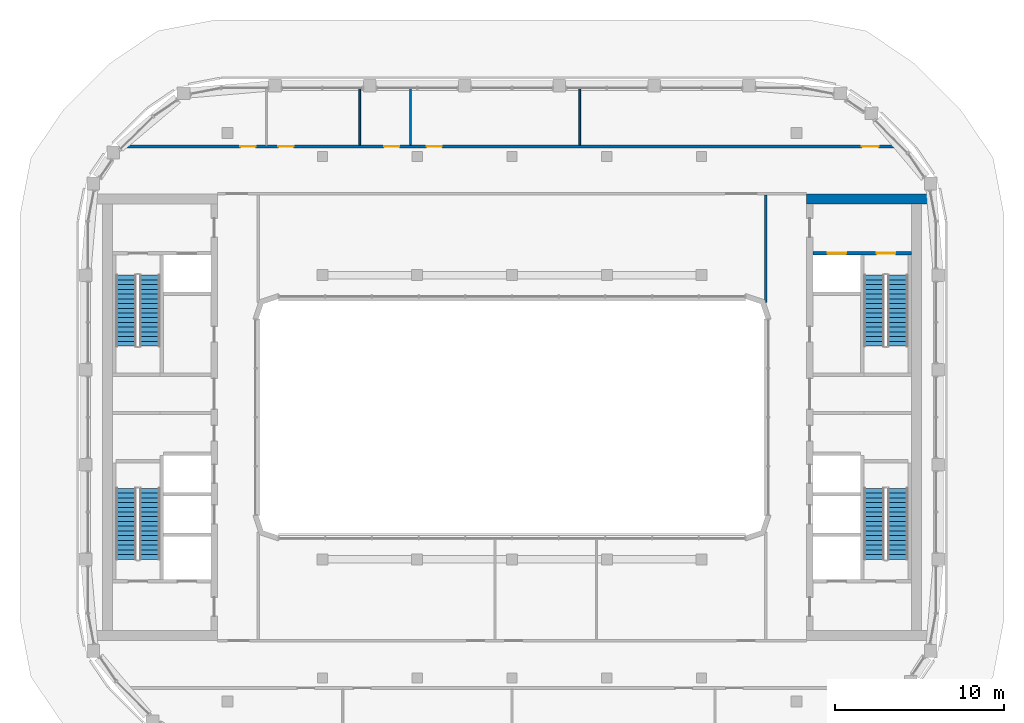
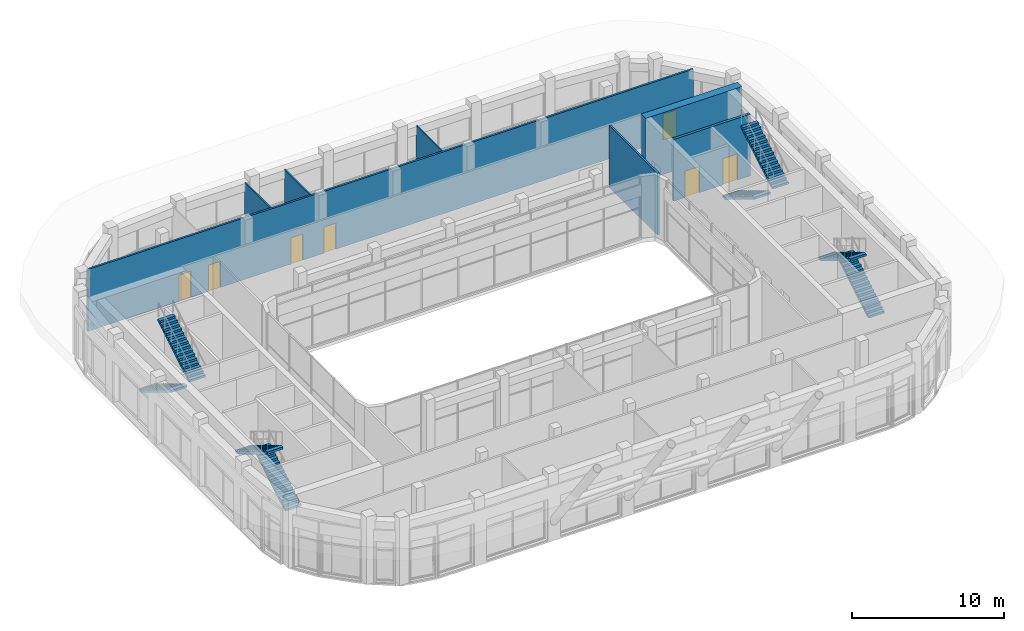
# One storey, part 18 of 24: 8 stair flights, 7 doors, 7 walls, 7 openings, 4 elements without a shape of their own.
"""IFC4 building model written with IfcOpenShell, lengths in metres."""

from ifc_helpers import new_model, si_unit, direction, frame, frame_2d, origin, place, context, subcontext, project, spatial, polyline, rectangle, outline, extrude, material, layer, layer_set, type_object, element, fill, aggregate, save


model = new_model("IFC4")

# Units and contexts
model_context = context("Model", 3, precision=1e-05, world=origin(), true_north=direction((0.0, 1.0)))
body_context = subcontext(model_context, "Body", "Model", "MODEL_VIEW")
ifc_project = project(units=[si_unit("LENGTHUNIT", "METRE"), si_unit("AREAUNIT", "SQUARE_METRE"), si_unit("VOLUMEUNIT", "CUBIC_METRE"), si_unit("PLANEANGLEUNIT", "RADIAN"), si_unit("MASSUNIT", "GRAM", prefix="KILO")], contexts=[model_context])

# Site, building, storey
site_placement = place(None, origin())
site = spatial("IfcSite", under=ifc_project, at=site_placement, CompositionType="ELEMENT")
building_placement = place(site_placement, origin())
building = spatial("IfcBuilding", under=site, at=building_placement, Name="Kiln Ring Residences", CompositionType="ELEMENT")
storey_placement = place(building_placement, frame((0.0, 0.0, 283.699951171875)))
storey = spatial("IfcBuildingStorey", under=building, at=storey_placement, Name="L74", CompositionType="ELEMENT", Elevation=283.699951171875)

# Wall, openings, doors
ifc_material_1 = material(Name="Concrete C40/50", Category="concrete")
ifc_layer_1 = layer(ifc_material_1, 0.199951171875)
ifc_layer_set_1 = layer_set([ifc_layer_1], Name="CORE-WALL-RC200")
wall_type_1 = type_object("IfcWallType", Name="CORE-WALL-RC200", PredefinedType="SHEAR", material=ifc_layer_set_1)
wall_1_placement = place(storey_placement, frame((17.800048828125, 9.699951171875, 0.0), z_axis=(0.0, 0.0, 1.0), x_axis=(1.0, 0.0, 0.0)))
wall_1 = element("IfcWall", 1, at=wall_1_placement, inside=storey, type_object=wall_type_1, Name="Core wall east L74 9", PredefinedType="SHEAR", context=body_context, shape_type="SweptSolid", body=[
    extrude(rectangle(XDim=5.800048828125, YDim=0.199951171875, at=frame_2d((2.89990234375, 0.0))), origin(), (0.0, 0.0, 1.0), 4.949951171875),
])
opening_1_placement = place(wall_1_placement, frame((0.85009765625, 0.0, 0.0)))
opening_1 = element("IfcOpeningElement", 2, at=opening_1_placement, cuts=wall_1, Name="Opening L74-CE06", PredefinedType="OPENING", context=body_context, shape_type="SweptSolid", body=[
    extrude(rectangle(XDim=1.10009765625, YDim=2.10009765625, at=frame_2d((0.550048828125, 1.050048828125))), frame((0.0, 0.10986328125, 0.0), z_axis=(0.0, -1.0, 0.0), x_axis=(1.0, 0.0, 0.0)), (0.0, 0.0, 1.0), 0.219970703125),
])
opening_2_placement = place(wall_1_placement, frame((3.75, 0.0, 0.0)))
opening_2 = element("IfcOpeningElement", 3, at=opening_2_placement, cuts=wall_1, Name="Opening L74-CE09", PredefinedType="OPENING", context=body_context, shape_type="SweptSolid", body=[
    extrude(rectangle(XDim=1.10009765625, YDim=2.10009765625, at=frame_2d((0.550048828125, 1.050048828125))), frame((0.0, 0.10986328125, 0.0), z_axis=(0.0, -1.0, 0.0), x_axis=(1.0, 0.0, 0.0)), (0.0, 0.0, 1.0), 0.219970703125),
])
ifc_material_2 = material(Name="Steel door leaf", Category="steel")
door_type_1 = type_object("IfcDoorType", Name="CORE-DOOR-LD", OperationType="DOUBLE_DOOR_SLIDING", PredefinedType="DOOR", material=ifc_material_2)
door_1_placement = place(opening_1_placement, origin())
door_1 = element("IfcDoor", 4, at=door_1_placement, inside=storey, type_object=door_type_1, Name="LD E-FF L74-CE06", OperationType="DOUBLE_DOOR_SLIDING", OverallHeight=2.10009765625, OverallWidth=1.10009765625, PredefinedType="DOOR", context=body_context, shape_type="SweptSolid", body=[
    extrude(rectangle(XDim=1.10009765625, YDim=2.10009765625, at=frame_2d((0.550048828125, 1.050048828125))), frame((0.0, 0.02490234375, 0.0), z_axis=(0.0, -1.0, 0.0), x_axis=(1.0, 0.0, 0.0)), (0.0, 0.0, 1.0), 0.050048828125),
])
fill(opening_1, door_1)
ifc_material_3 = material(Name="Steel door leaf", Category="steel")
door_type_2 = type_object("IfcDoorType", Name="CORE-DOOR-STAIR", OperationType="SINGLE_SWING_LEFT", PredefinedType="DOOR", material=ifc_material_3)
door_2_placement = place(opening_2_placement, origin())
door_2 = element("IfcDoor", 5, at=door_2_placement, inside=storey, type_object=door_type_2, Name="Stair E-STN L74-CE09", OperationType="SINGLE_SWING_RIGHT", OverallHeight=2.10009765625, OverallWidth=1.10009765625, PredefinedType="DOOR", context=body_context, shape_type="SweptSolid", body=[
    extrude(rectangle(XDim=1.10009765625, YDim=2.10009765625, at=frame_2d((0.550048828125, 1.050048828125))), frame((0.0, 0.02490234375, 0.0), z_axis=(0.0, -1.0, 0.0), x_axis=(1.0, 0.0, 0.0)), (0.0, 0.0, 1.0), 0.050048828125),
])
fill(opening_2, door_2)

# Walls
ifc_material_4 = material(Name="Concrete C60/75", Category="concrete")
ifc_layer_2 = layer(ifc_material_4, 0.60009765625)
ifc_layer_set_2 = layer_set([ifc_layer_2], Name="CORE-WALL-RC600")
wall_type_2 = type_object("IfcWallType", Name="CORE-WALL-RC600", PredefinedType="SHEAR", material=ifc_layer_set_2)
wall_2_placement = place(storey_placement, frame((17.39990234375, 12.89990234375, 0.0), z_axis=(0.0, 0.0, 1.0), x_axis=(1.0, 0.0, 0.0)))
element("IfcWall", 6, at=wall_2_placement, inside=storey, type_object=wall_type_2, Name="Core wall east L74 4", PredefinedType="SHEAR", context=body_context, shape_type="SweptSolid", body=[
    extrude(rectangle(XDim=7.320068359375, YDim=0.60009765625, at=frame_2d((3.66015625, 0.0))), origin(), (0.0, 0.0, 1.0), 4.949951171875),
])
ifc_material_5 = material(Name="Gypsum board on steel studs", Category="steel")
ifc_layer_3 = layer(ifc_material_5, 0.10009765625)
ifc_layer_set_3 = layer_set([ifc_layer_3], Name="PARTITION-100")
wall_type_3 = type_object("IfcWallType", Name="PARTITION-100", PredefinedType="PARTITIONING", material=ifc_layer_set_3)
for number, where, z_axis, x_axis, name in (
    (7, (-9.0, 16.074951171875, 0.0), (0.0, 0.0, 1.0), (0.0, 1.0, 0.0), "Partition 008"),
    (8, (-6.0, 16.074951171875, 0.0), (0.0, 0.0, 1.0), (0.0, 1.0, 0.0), "Partition 009"),
    (9, (4.0, 16.074951171875, 0.0), (0.0, 0.0, 1.0), (0.0, 1.0, 0.0), "Partition 012"),
):
    element("IfcWall", number, at=place(storey_placement, frame(where, z_axis=z_axis, x_axis=x_axis)), inside=storey, type_object=wall_type_3, Name=name, PredefinedType="PARTITIONING", context=body_context, shape_type="SweptSolid", body=[
        extrude(rectangle(XDim=3.341064453125, YDim=0.10009765625, at=frame_2d((1.67041015625, 0.0))), origin(), (0.0, 0.0, 1.0), 4.949951171875),
    ])

# Wall, openings, doors
ifc_material_6 = material(Name="Brick masonry partition", Category="masonry")
ifc_layer_4 = layer(ifc_material_6, 0.14990234375)
ifc_layer_set_4 = layer_set([ifc_layer_4], Name="PARTITION-150-ei60")
wall_type_4 = type_object("IfcWallType", Name="PARTITION-150-ei60", PredefinedType="PARTITIONING", material=ifc_layer_set_4)
wall_3_placement = place(storey_placement, frame((-22.947998046875, 16.0, 0.0), z_axis=(0.0, 0.0, 1.0), x_axis=(1.0, 0.0, 0.0)))
wall_3 = element("IfcWall", 10, at=wall_3_placement, inside=storey, type_object=wall_type_4, Name="Partition 003", PredefinedType="PARTITIONING", context=body_context, shape_type="SweptSolid", body=[
    extrude(rectangle(XDim=45.89599609375, YDim=0.14990234375, at=frame_2d((22.947998046875, 0.0))), origin(), (0.0, 0.0, 1.0), 4.949951171875),
])
opening_3_placement = place(wall_3_placement, frame((6.898193359375, 0.0, 0.0)))
opening_3 = element("IfcOpeningElement", 11, at=opening_3_placement, cuts=wall_3, Name="Opening L74-D003", PredefinedType="OPENING", context=body_context, shape_type="SweptSolid", body=[
    extrude(rectangle(XDim=0.89990234375, YDim=2.10009765625, at=frame_2d((0.449951171875, 1.050048828125))), frame((0.0, 0.0849609375, 0.0), z_axis=(0.0, -1.0, 0.0), x_axis=(1.0, 0.0, 0.0)), (0.0, 0.0, 1.0), 0.169921875),
])
opening_4_placement = place(wall_3_placement, frame((9.148193359375, 0.0, 0.0)))
opening_4 = element("IfcOpeningElement", 12, at=opening_4_placement, cuts=wall_3, Name="Opening L74-D004", PredefinedType="OPENING", context=body_context, shape_type="SweptSolid", body=[
    extrude(rectangle(XDim=0.89990234375, YDim=2.10009765625, at=frame_2d((0.449951171875, 1.050048828125))), frame((0.0, 0.0849609375, 0.0), z_axis=(0.0, -1.0, 0.0), x_axis=(1.0, 0.0, 0.0)), (0.0, 0.0, 1.0), 0.169921875),
])
opening_5_placement = place(wall_3_placement, frame((15.398193359375, 0.0, 0.0)))
opening_5 = element("IfcOpeningElement", 13, at=opening_5_placement, cuts=wall_3, Name="Opening L74-D005", PredefinedType="OPENING", context=body_context, shape_type="SweptSolid", body=[
    extrude(rectangle(XDim=0.89990234375, YDim=2.10009765625, at=frame_2d((0.449951171875, 1.050048828125))), frame((0.0, 0.0849609375, 0.0), z_axis=(0.0, -1.0, 0.0), x_axis=(1.0, 0.0, 0.0)), (0.0, 0.0, 1.0), 0.169921875),
])
opening_6_placement = place(wall_3_placement, frame((17.898193359375, 0.0, 0.0)))
opening_6 = element("IfcOpeningElement", 14, at=opening_6_placement, cuts=wall_3, Name="Opening L74-D006", PredefinedType="OPENING", context=body_context, shape_type="SweptSolid", body=[
    extrude(rectangle(XDim=0.89990234375, YDim=2.10009765625, at=frame_2d((0.449951171875, 1.050048828125))), frame((0.0, 0.0849609375, 0.0), z_axis=(0.0, -1.0, 0.0), x_axis=(1.0, 0.0, 0.0)), (0.0, 0.0, 1.0), 0.169921875),
])
opening_7_placement = place(wall_3_placement, frame((43.62109375, 0.0, 0.0)))
opening_7 = element("IfcOpeningElement", 15, at=opening_7_placement, cuts=wall_3, Name="Opening L74-D007", PredefinedType="OPENING", context=body_context, shape_type="SweptSolid", body=[
    extrude(rectangle(XDim=1.0, YDim=2.10009765625, at=frame_2d((0.5, 1.050048828125))), frame((0.0, 0.0849609375, 0.0), z_axis=(0.0, -1.0, 0.0), x_axis=(1.0, 0.0, 0.0)), (0.0, 0.0, 1.0), 0.169921875),
])
ifc_material_7 = material(Name="Steel faced fire door leaf", Category="steel")
door_type_3 = type_object("IfcDoorType", Name="FLAT-DOOR-1000-FR", OperationType="SINGLE_SWING_LEFT", PredefinedType="DOOR", material=ifc_material_7)
door_3_placement = place(opening_7_placement, origin())
door_3 = element("IfcDoor", 16, at=door_3_placement, inside=storey, type_object=door_type_3, Name="Door L74-D007", OperationType="SINGLE_SWING_LEFT", OverallHeight=2.10009765625, OverallWidth=1.0, PredefinedType="DOOR", context=body_context, shape_type="SweptSolid", body=[
    extrude(rectangle(XDim=1.0, YDim=2.10009765625, at=frame_2d((0.5, 1.050048828125))), frame((0.0, 0.02490234375, 0.0), z_axis=(0.0, -1.0, 0.0), x_axis=(1.0, 0.0, 0.0)), (0.0, 0.0, 1.0), 0.050048828125),
])
fill(opening_7, door_3)
ifc_material_8 = material(Name="Steel faced fire door leaf", Category="steel")
door_type_4 = type_object("IfcDoorType", Name="FLAT-DOOR-900-FR", OperationType="SINGLE_SWING_LEFT", PredefinedType="DOOR", material=ifc_material_8)
door_4_placement = place(opening_3_placement, origin())
door_4 = element("IfcDoor", 17, at=door_4_placement, inside=storey, type_object=door_type_4, Name="Door L74-D003", OperationType="SINGLE_SWING_LEFT", OverallHeight=2.10009765625, OverallWidth=0.89990234375, PredefinedType="DOOR", context=body_context, shape_type="SweptSolid", body=[
    extrude(rectangle(XDim=0.89990234375, YDim=2.10009765625, at=frame_2d((0.449951171875, 1.050048828125))), frame((0.0, 0.02490234375, 0.0), z_axis=(0.0, -1.0, 0.0), x_axis=(1.0, 0.0, 0.0)), (0.0, 0.0, 1.0), 0.050048828125),
])
fill(opening_3, door_4)
door_5_placement = place(opening_4_placement, origin())
door_5 = element("IfcDoor", 18, at=door_5_placement, inside=storey, type_object=door_type_4, Name="Door L74-D004", OperationType="SINGLE_SWING_RIGHT", OverallHeight=2.10009765625, OverallWidth=0.89990234375, PredefinedType="DOOR", context=body_context, shape_type="SweptSolid", body=[
    extrude(rectangle(XDim=0.89990234375, YDim=2.10009765625, at=frame_2d((0.449951171875, 1.050048828125))), frame((0.0, 0.02490234375, 0.0), z_axis=(0.0, -1.0, 0.0), x_axis=(1.0, 0.0, 0.0)), (0.0, 0.0, 1.0), 0.050048828125),
])
fill(opening_4, door_5)
door_6_placement = place(opening_5_placement, origin())
door_6 = element("IfcDoor", 19, at=door_6_placement, inside=storey, type_object=door_type_4, Name="Door L74-D005", OperationType="SINGLE_SWING_LEFT", OverallHeight=2.10009765625, OverallWidth=0.89990234375, PredefinedType="DOOR", context=body_context, shape_type="SweptSolid", body=[
    extrude(rectangle(XDim=0.89990234375, YDim=2.10009765625, at=frame_2d((0.449951171875, 1.050048828125))), frame((0.0, 0.02490234375, 0.0), z_axis=(0.0, -1.0, 0.0), x_axis=(1.0, 0.0, 0.0)), (0.0, 0.0, 1.0), 0.050048828125),
])
fill(opening_5, door_6)
door_7_placement = place(opening_6_placement, origin())
door_7 = element("IfcDoor", 20, at=door_7_placement, inside=storey, type_object=door_type_4, Name="Door L74-D006", OperationType="SINGLE_SWING_RIGHT", OverallHeight=2.10009765625, OverallWidth=0.89990234375, PredefinedType="DOOR", context=body_context, shape_type="SweptSolid", body=[
    extrude(rectangle(XDim=0.89990234375, YDim=2.10009765625, at=frame_2d((0.449951171875, 1.050048828125))), frame((0.0, 0.02490234375, 0.0), z_axis=(0.0, -1.0, 0.0), x_axis=(1.0, 0.0, 0.0)), (0.0, 0.0, 1.0), 0.050048828125),
])
fill(opening_6, door_7)

# Wall
wall_4_placement = place(storey_placement, frame((15.0, 6.768798828125, 0.0), z_axis=(0.0, 0.0, 1.0), x_axis=(0.0, 1.0, 0.0)))
element("IfcWall", 21, at=wall_4_placement, inside=storey, type_object=wall_type_4, Name="Partition 016", PredefinedType="PARTITIONING", context=body_context, shape_type="SweptSolid", body=[
    extrude(rectangle(XDim=6.356201171875, YDim=0.14990234375, at=frame_2d((3.17822265625, 0.0))), origin(), (0.0, 0.0, 1.0), 4.949951171875),
])

# Stair, stair flights
ifc_material_9 = material(Name="Concrete C40/50", Category="concrete")
stair_type = type_object("IfcStairType", Name="CORE-STAIR", PredefinedType="HALF_TURN_STAIR", material=ifc_material_9)
placement = place(storey_placement, origin())
stair_1 = element("IfcStair", 22, at=placement, inside=storey, type_object=stair_type, Name="L74 stair W-STN", PredefinedType="HALF_TURN_STAIR")
ifc_material_10 = material(Name="Concrete C40/50", Category="concrete")
stair_flight_type = type_object("IfcStairFlightType", Name="CORE-STAIR-FLIGHT", PredefinedType="STRAIGHT", material=ifc_material_10)
stair_flight_1_placement = place(storey_placement, frame((-22.800048828125, 8.39990234375, 0.0), z_axis=(0.0, 0.0, 1.0), x_axis=(0.0, -1.0, 0.0)))
stair_flight_1 = element("IfcStairFlight", 23, at=stair_flight_1_placement, type_object=stair_flight_type, Name="W-STN flight 1", NumberOfRisers=16, NumberOfTreads=15, PredefinedType="STRAIGHT", RiserHeight=0.16875, TreadLength=0.28, context=body_context, shape_type="SweptSolid", body=[
    extrude(outline(polyline([(0.0, 0.0), (0.0, 0.168701171875), (0.280029296875, 0.168701171875), (0.280029296875, 0.33740234375), (0.56005859375, 0.33740234375), (0.56005859375, 0.50634765625), (0.840087890625, 0.50634765625), (0.840087890625, 0.675048828125), (1.1201171875, 0.675048828125), (1.1201171875, 0.84375), (1.39990234375, 0.84375), (1.39990234375, 1.012451171875), (1.679931640625, 1.012451171875), (1.679931640625, 1.18115234375), (1.9599609375, 1.18115234375), (1.9599609375, 1.35009765625), (2.239990234375, 1.35009765625), (2.239990234375, 1.518798828125), (2.52001953125, 1.518798828125), (2.52001953125, 1.6875), (2.800048828125, 1.6875), (2.800048828125, 1.856201171875), (3.080078125, 1.856201171875), (3.080078125, 2.02490234375), (3.360107421875, 2.02490234375), (3.360107421875, 2.19384765625), (3.639892578125, 2.19384765625), (3.639892578125, 2.362548828125), (3.919921875, 2.362548828125), (3.919921875, 2.53125), (4.199951171875, 2.53125), (4.199951171875, 2.699951171875), (4.199951171875, 2.356201171875), (0.29052734375, 0.0), (0.0, 0.0)])), frame((0.0, 0.60009765625, 0.0), z_axis=(0.0, -1.0, 0.0), x_axis=(1.0, 0.0, 0.0)), (0.0, 0.0, 1.0), 1.199951171875),
])
stair_flight_2_placement = place(storey_placement, frame((-21.39990234375, 4.199951171875, 2.699951171875), z_axis=(0.0, 0.0, 1.0), x_axis=(0.0, 1.0, 0.0)))
stair_flight_2 = element("IfcStairFlight", 24, at=stair_flight_2_placement, type_object=stair_flight_type, Name="W-STN flight 2", NumberOfRisers=16, NumberOfTreads=15, PredefinedType="STRAIGHT", RiserHeight=0.16875, TreadLength=0.28, context=body_context, shape_type="SweptSolid", body=[
    extrude(outline(polyline([(0.0, 0.0), (0.0, 0.168701171875), (0.280029296875, 0.168701171875), (0.280029296875, 0.33740234375), (0.56005859375, 0.33740234375), (0.56005859375, 0.50634765625), (0.840087890625, 0.50634765625), (0.840087890625, 0.675048828125), (1.1201171875, 0.675048828125), (1.1201171875, 0.84375), (1.39990234375, 0.84375), (1.39990234375, 1.012451171875), (1.679931640625, 1.012451171875), (1.679931640625, 1.18115234375), (1.9599609375, 1.18115234375), (1.9599609375, 1.35009765625), (2.239990234375, 1.35009765625), (2.239990234375, 1.518798828125), (2.52001953125, 1.518798828125), (2.52001953125, 1.6875), (2.800048828125, 1.6875), (2.800048828125, 1.856201171875), (3.080078125, 1.856201171875), (3.080078125, 2.02490234375), (3.360107421875, 2.02490234375), (3.360107421875, 2.19384765625), (3.639892578125, 2.19384765625), (3.639892578125, 2.362548828125), (3.919921875, 2.362548828125), (3.919921875, 2.53125), (4.199951171875, 2.53125), (4.199951171875, 2.699951171875), (4.199951171875, 2.356201171875), (0.29052734375, 0.0), (0.0, 0.0)])), frame((0.0, 0.60009765625, 0.0), z_axis=(0.0, -1.0, 0.0), x_axis=(1.0, 0.0, 0.0)), (0.0, 0.0, 1.0), 1.199951171875),
])
aggregate(stair_1, [stair_flight_1, stair_flight_2])

stair_2 = element("IfcStair", 25, at=placement, inside=storey, type_object=stair_type, Name="L74 stair W-STS", PredefinedType="HALF_TURN_STAIR")
stair_flight_3_placement = place(storey_placement, frame((-21.39990234375, -8.39990234375, 0.0), z_axis=(0.0, 0.0, 1.0), x_axis=(0.0, 1.0, 0.0)))
stair_flight_3 = element("IfcStairFlight", 26, at=stair_flight_3_placement, type_object=stair_flight_type, Name="W-STS flight 1", NumberOfRisers=16, NumberOfTreads=15, PredefinedType="STRAIGHT", RiserHeight=0.16875, TreadLength=0.28, context=body_context, shape_type="SweptSolid", body=[
    extrude(outline(polyline([(0.0, 0.0), (0.0, 0.168701171875), (0.280029296875, 0.168701171875), (0.280029296875, 0.33740234375), (0.56005859375, 0.33740234375), (0.56005859375, 0.50634765625), (0.840087890625, 0.50634765625), (0.840087890625, 0.675048828125), (1.1201171875, 0.675048828125), (1.1201171875, 0.84375), (1.39990234375, 0.84375), (1.39990234375, 1.012451171875), (1.679931640625, 1.012451171875), (1.679931640625, 1.18115234375), (1.9599609375, 1.18115234375), (1.9599609375, 1.35009765625), (2.239990234375, 1.35009765625), (2.239990234375, 1.518798828125), (2.52001953125, 1.518798828125), (2.52001953125, 1.6875), (2.800048828125, 1.6875), (2.800048828125, 1.856201171875), (3.080078125, 1.856201171875), (3.080078125, 2.02490234375), (3.360107421875, 2.02490234375), (3.360107421875, 2.19384765625), (3.639892578125, 2.19384765625), (3.639892578125, 2.362548828125), (3.919921875, 2.362548828125), (3.919921875, 2.53125), (4.199951171875, 2.53125), (4.199951171875, 2.699951171875), (4.199951171875, 2.356201171875), (0.29052734375, 0.0), (0.0, 0.0)])), frame((0.0, 0.60009765625, 0.0), z_axis=(0.0, -1.0, 0.0), x_axis=(1.0, 0.0, 0.0)), (0.0, 0.0, 1.0), 1.199951171875),
])
stair_flight_4_placement = place(storey_placement, frame((-22.800048828125, -4.199951171875, 2.699951171875), z_axis=(0.0, 0.0, 1.0), x_axis=(0.0, -1.0, 0.0)))
stair_flight_4 = element("IfcStairFlight", 27, at=stair_flight_4_placement, type_object=stair_flight_type, Name="W-STS flight 2", NumberOfRisers=16, NumberOfTreads=15, PredefinedType="STRAIGHT", RiserHeight=0.16875, TreadLength=0.28, context=body_context, shape_type="SweptSolid", body=[
    extrude(outline(polyline([(0.0, 0.0), (0.0, 0.168701171875), (0.280029296875, 0.168701171875), (0.280029296875, 0.33740234375), (0.56005859375, 0.33740234375), (0.56005859375, 0.50634765625), (0.840087890625, 0.50634765625), (0.840087890625, 0.675048828125), (1.1201171875, 0.675048828125), (1.1201171875, 0.84375), (1.39990234375, 0.84375), (1.39990234375, 1.012451171875), (1.679931640625, 1.012451171875), (1.679931640625, 1.18115234375), (1.9599609375, 1.18115234375), (1.9599609375, 1.35009765625), (2.239990234375, 1.35009765625), (2.239990234375, 1.518798828125), (2.52001953125, 1.518798828125), (2.52001953125, 1.6875), (2.800048828125, 1.6875), (2.800048828125, 1.856201171875), (3.080078125, 1.856201171875), (3.080078125, 2.02490234375), (3.360107421875, 2.02490234375), (3.360107421875, 2.19384765625), (3.639892578125, 2.19384765625), (3.639892578125, 2.362548828125), (3.919921875, 2.362548828125), (3.919921875, 2.53125), (4.199951171875, 2.53125), (4.199951171875, 2.699951171875), (4.199951171875, 2.356201171875), (0.29052734375, 0.0), (0.0, 0.0)])), frame((0.0, 0.60009765625, 0.0), z_axis=(0.0, -1.0, 0.0), x_axis=(1.0, 0.0, 0.0)), (0.0, 0.0, 1.0), 1.199951171875),
])
aggregate(stair_2, [stair_flight_3, stair_flight_4])

stair_3 = element("IfcStair", 28, at=placement, inside=storey, type_object=stair_type, Name="L74 stair E-STN", PredefinedType="HALF_TURN_STAIR")
stair_flight_5_placement = place(storey_placement, frame((21.39990234375, 8.39990234375, 0.0), z_axis=(0.0, 0.0, 1.0), x_axis=(0.0, -1.0, 0.0)))
stair_flight_5 = element("IfcStairFlight", 29, at=stair_flight_5_placement, type_object=stair_flight_type, Name="E-STN flight 1", NumberOfRisers=16, NumberOfTreads=15, PredefinedType="STRAIGHT", RiserHeight=0.16875, TreadLength=0.28, context=body_context, shape_type="SweptSolid", body=[
    extrude(outline(polyline([(0.0, 0.0), (0.0, 0.168701171875), (0.280029296875, 0.168701171875), (0.280029296875, 0.33740234375), (0.56005859375, 0.33740234375), (0.56005859375, 0.50634765625), (0.840087890625, 0.50634765625), (0.840087890625, 0.675048828125), (1.1201171875, 0.675048828125), (1.1201171875, 0.84375), (1.39990234375, 0.84375), (1.39990234375, 1.012451171875), (1.679931640625, 1.012451171875), (1.679931640625, 1.18115234375), (1.9599609375, 1.18115234375), (1.9599609375, 1.35009765625), (2.239990234375, 1.35009765625), (2.239990234375, 1.518798828125), (2.52001953125, 1.518798828125), (2.52001953125, 1.6875), (2.800048828125, 1.6875), (2.800048828125, 1.856201171875), (3.080078125, 1.856201171875), (3.080078125, 2.02490234375), (3.360107421875, 2.02490234375), (3.360107421875, 2.19384765625), (3.639892578125, 2.19384765625), (3.639892578125, 2.362548828125), (3.919921875, 2.362548828125), (3.919921875, 2.53125), (4.199951171875, 2.53125), (4.199951171875, 2.699951171875), (4.199951171875, 2.356201171875), (0.29052734375, 0.0), (0.0, 0.0)])), frame((0.0, 0.60009765625, 0.0), z_axis=(0.0, -1.0, 0.0), x_axis=(1.0, 0.0, 0.0)), (0.0, 0.0, 1.0), 1.199951171875),
])
stair_flight_6_placement = place(storey_placement, frame((22.800048828125, 4.199951171875, 2.699951171875), z_axis=(0.0, 0.0, 1.0), x_axis=(0.0, 1.0, 0.0)))
stair_flight_6 = element("IfcStairFlight", 30, at=stair_flight_6_placement, type_object=stair_flight_type, Name="E-STN flight 2", NumberOfRisers=16, NumberOfTreads=15, PredefinedType="STRAIGHT", RiserHeight=0.16875, TreadLength=0.28, context=body_context, shape_type="SweptSolid", body=[
    extrude(outline(polyline([(0.0, 0.0), (0.0, 0.168701171875), (0.280029296875, 0.168701171875), (0.280029296875, 0.33740234375), (0.56005859375, 0.33740234375), (0.56005859375, 0.50634765625), (0.840087890625, 0.50634765625), (0.840087890625, 0.675048828125), (1.1201171875, 0.675048828125), (1.1201171875, 0.84375), (1.39990234375, 0.84375), (1.39990234375, 1.012451171875), (1.679931640625, 1.012451171875), (1.679931640625, 1.18115234375), (1.9599609375, 1.18115234375), (1.9599609375, 1.35009765625), (2.239990234375, 1.35009765625), (2.239990234375, 1.518798828125), (2.52001953125, 1.518798828125), (2.52001953125, 1.6875), (2.800048828125, 1.6875), (2.800048828125, 1.856201171875), (3.080078125, 1.856201171875), (3.080078125, 2.02490234375), (3.360107421875, 2.02490234375), (3.360107421875, 2.19384765625), (3.639892578125, 2.19384765625), (3.639892578125, 2.362548828125), (3.919921875, 2.362548828125), (3.919921875, 2.53125), (4.199951171875, 2.53125), (4.199951171875, 2.699951171875), (4.199951171875, 2.356201171875), (0.29052734375, 0.0), (0.0, 0.0)])), frame((0.0, 0.60009765625, 0.0), z_axis=(0.0, -1.0, 0.0), x_axis=(1.0, 0.0, 0.0)), (0.0, 0.0, 1.0), 1.199951171875),
])
aggregate(stair_3, [stair_flight_5, stair_flight_6])

stair_4 = element("IfcStair", 31, at=placement, inside=storey, type_object=stair_type, Name="L74 stair E-STS", PredefinedType="HALF_TURN_STAIR")
stair_flight_7_placement = place(storey_placement, frame((22.800048828125, -8.39990234375, 0.0), z_axis=(0.0, 0.0, 1.0), x_axis=(0.0, 1.0, 0.0)))
stair_flight_7 = element("IfcStairFlight", 32, at=stair_flight_7_placement, type_object=stair_flight_type, Name="E-STS flight 1", NumberOfRisers=16, NumberOfTreads=15, PredefinedType="STRAIGHT", RiserHeight=0.16875, TreadLength=0.28, context=body_context, shape_type="SweptSolid", body=[
    extrude(outline(polyline([(0.0, 0.0), (0.0, 0.168701171875), (0.280029296875, 0.168701171875), (0.280029296875, 0.33740234375), (0.56005859375, 0.33740234375), (0.56005859375, 0.50634765625), (0.840087890625, 0.50634765625), (0.840087890625, 0.675048828125), (1.1201171875, 0.675048828125), (1.1201171875, 0.84375), (1.39990234375, 0.84375), (1.39990234375, 1.012451171875), (1.679931640625, 1.012451171875), (1.679931640625, 1.18115234375), (1.9599609375, 1.18115234375), (1.9599609375, 1.35009765625), (2.239990234375, 1.35009765625), (2.239990234375, 1.518798828125), (2.52001953125, 1.518798828125), (2.52001953125, 1.6875), (2.800048828125, 1.6875), (2.800048828125, 1.856201171875), (3.080078125, 1.856201171875), (3.080078125, 2.02490234375), (3.360107421875, 2.02490234375), (3.360107421875, 2.19384765625), (3.639892578125, 2.19384765625), (3.639892578125, 2.362548828125), (3.919921875, 2.362548828125), (3.919921875, 2.53125), (4.199951171875, 2.53125), (4.199951171875, 2.699951171875), (4.199951171875, 2.356201171875), (0.29052734375, 0.0), (0.0, 0.0)])), frame((0.0, 0.60009765625, 0.0), z_axis=(0.0, -1.0, 0.0), x_axis=(1.0, 0.0, 0.0)), (0.0, 0.0, 1.0), 1.199951171875),
])
stair_flight_8_placement = place(storey_placement, frame((21.39990234375, -4.199951171875, 2.699951171875), z_axis=(0.0, 0.0, 1.0), x_axis=(0.0, -1.0, 0.0)))
stair_flight_8 = element("IfcStairFlight", 33, at=stair_flight_8_placement, type_object=stair_flight_type, Name="E-STS flight 2", NumberOfRisers=16, NumberOfTreads=15, PredefinedType="STRAIGHT", RiserHeight=0.16875, TreadLength=0.28, context=body_context, shape_type="SweptSolid", body=[
    extrude(outline(polyline([(0.0, 0.0), (0.0, 0.168701171875), (0.280029296875, 0.168701171875), (0.280029296875, 0.33740234375), (0.56005859375, 0.33740234375), (0.56005859375, 0.50634765625), (0.840087890625, 0.50634765625), (0.840087890625, 0.675048828125), (1.1201171875, 0.675048828125), (1.1201171875, 0.84375), (1.39990234375, 0.84375), (1.39990234375, 1.012451171875), (1.679931640625, 1.012451171875), (1.679931640625, 1.18115234375), (1.9599609375, 1.18115234375), (1.9599609375, 1.35009765625), (2.239990234375, 1.35009765625), (2.239990234375, 1.518798828125), (2.52001953125, 1.518798828125), (2.52001953125, 1.6875), (2.800048828125, 1.6875), (2.800048828125, 1.856201171875), (3.080078125, 1.856201171875), (3.080078125, 2.02490234375), (3.360107421875, 2.02490234375), (3.360107421875, 2.19384765625), (3.639892578125, 2.19384765625), (3.639892578125, 2.362548828125), (3.919921875, 2.362548828125), (3.919921875, 2.53125), (4.199951171875, 2.53125), (4.199951171875, 2.699951171875), (4.199951171875, 2.356201171875), (0.29052734375, 0.0), (0.0, 0.0)])), frame((0.0, 0.60009765625, 0.0), z_axis=(0.0, -1.0, 0.0), x_axis=(1.0, 0.0, 0.0)), (0.0, 0.0, 1.0), 1.199951171875),
])
aggregate(stair_4, [stair_flight_7, stair_flight_8])

save(model, "model.ifc")
